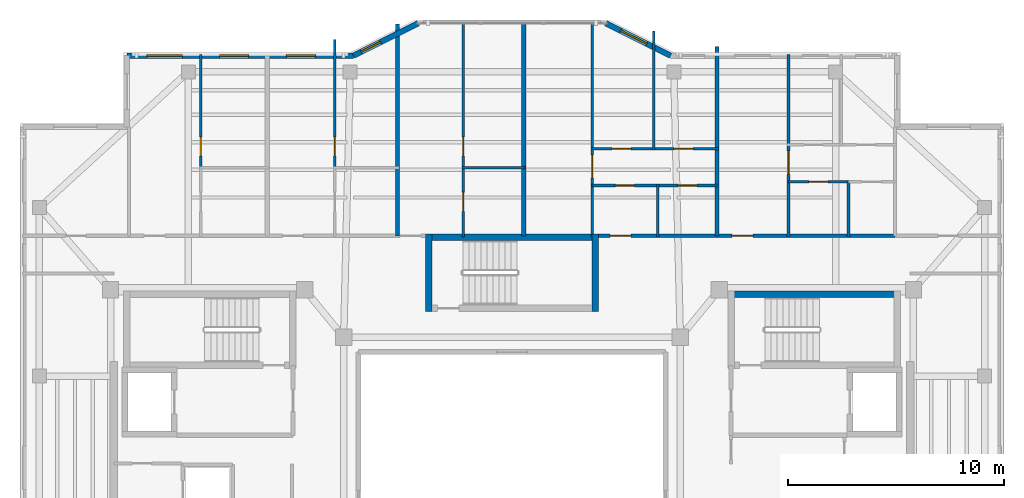
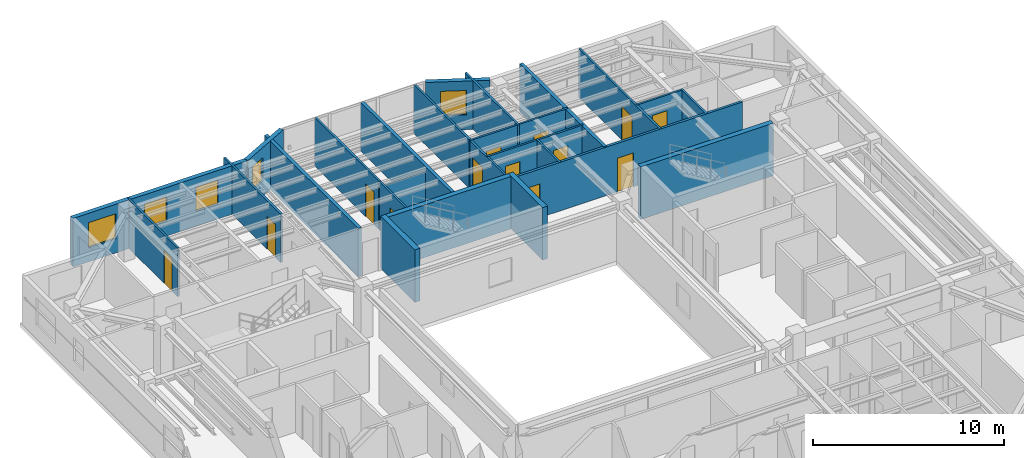
# One storey, part 10 of 14: 25 walls, 13 doors, 5 windows, 18 openings.
"""IFC4 building model written with IfcOpenShell, lengths in metres."""

from ifc_helpers import new_model, si_unit, direction, frame, frame_2d, origin, place, context, subcontext, project, spatial, rectangle, extrude, material, layer, layer_set, type_object, element, fill, save


model = new_model("IFC4")

# Units and contexts
model_context = context("Model", 3, precision=1e-05, world=origin(), true_north=direction((0.0, 1.0)))
body_context = subcontext(model_context, "Body", "Model", "MODEL_VIEW")
ifc_project = project(units=[si_unit("LENGTHUNIT", "METRE"), si_unit("AREAUNIT", "SQUARE_METRE"), si_unit("VOLUMEUNIT", "CUBIC_METRE"), si_unit("PLANEANGLEUNIT", "RADIAN"), si_unit("MASSUNIT", "GRAM", prefix="KILO")], contexts=[model_context])

# Site, building, storey
site_placement = place(None, origin())
site = spatial("IfcSite", under=ifc_project, at=site_placement, CompositionType="ELEMENT")
building_placement = place(site_placement, origin())
building = spatial("IfcBuilding", under=site, at=building_placement, Name="Tarnavaz Court Tower", CompositionType="ELEMENT")
storey_placement = place(building_placement, frame((0.0, 0.0, 264.949951171875)))
storey = spatial("IfcBuildingStorey", under=building, at=storey_placement, Name="L72", CompositionType="ELEMENT", Elevation=264.949951171875)

# Walls
ifc_material_1 = material(Name="Concrete C50/60", Category="concrete")
ifc_layer_1 = layer(ifc_material_1, 0.300048828125)
ifc_layer_set_1 = layer_set([ifc_layer_1], Name="Concrete C50/60")
wall_type_1 = type_object("IfcWallType", Name="WL-CORE-300-C50", PredefinedType="SHEAR", material=ifc_layer_set_1)
for number, where, z_axis, x_axis, name in (
    (1, (10.0, 9.7900390625, 0.0), (0.0, 0.0, 1.0), (1.0, 0.0, 0.0), "L72 East Stair Core Wall 005"),
    (2, (-4.0, 12.43994140625, 0.0), (0.0, 0.0, 1.0), (1.0, 0.0, 0.0), "L72 North Stair Core Wall 009"),
):
    element("IfcWall", number, at=place(storey_placement, frame(where, z_axis=z_axis, x_axis=x_axis)), inside=storey, type_object=wall_type_1, Name=name, PredefinedType="SHEAR", context=body_context, shape_type="SweptSolid", body=[
        extrude(rectangle(XDim=8.0, YDim=0.300048828125, at=frame_2d((4.0, 0.0))), origin(), (0.0, 0.0, 1.0), 3.35009765625),
    ])
for number, where, z_axis, x_axis, name in (
    (3, (-3.85009765625, 9.0, 0.0), (0.0, 0.0, 1.0), (0.0, 1.0, 0.0), "L72 North Stair Core Wall 011"),
    (4, (3.85009765625, 9.0, 0.0), (0.0, 0.0, 1.0), (0.0, 1.0, 0.0), "L72 North Stair Core Wall 012"),
):
    element("IfcWall", number, at=place(storey_placement, frame(where, z_axis=z_axis, x_axis=x_axis)), inside=storey, type_object=wall_type_1, Name=name, PredefinedType="SHEAR", context=body_context, shape_type="SweptSolid", body=[
        extrude(rectangle(XDim=3.590087890625, YDim=0.300048828125, at=frame_2d((1.794921875, 0.0))), origin(), (0.0, 0.0, 1.0), 3.35009765625),
    ])

# Wall, openings, windows
ifc_material_2 = material(Name="Precast Concrete C40/50", Category="concrete")
ifc_layer_2 = layer(ifc_material_2, 0.260009765625)
ifc_layer_set_2 = layer_set([ifc_layer_2], Name="Precast Concrete C40/50")
wall_type_2 = type_object("IfcWallType", Name="WL-EXT-260", PredefinedType="SOLIDWALL", material=ifc_layer_set_2)
wall_1_placement = place(storey_placement, frame((-17.85009765625, 20.85009765625, 0.0), z_axis=(0.0, 0.0, 1.0), x_axis=(1.0, 0.0, 0.0)))
wall_1 = element("IfcWall", 5, at=wall_1_placement, inside=storey, type_object=wall_type_2, Name="L72 Exterior Terracotta Facade Wall 05", PredefinedType="SOLIDWALL", context=body_context, shape_type="SweptSolid", body=[
    extrude(rectangle(XDim=10.5, YDim=0.260009765625, at=frame_2d((5.25, 0.0))), origin(), (0.0, 0.0, 1.0), 3.10009765625),
])
opening_1_placement = place(wall_1_placement, frame((0.925048828125, 0.0, 0.89990234375)))
opening_1 = element("IfcOpeningElement", 6, at=opening_1_placement, cuts=wall_1, Name="Opening W02", PredefinedType="OPENING", context=body_context, shape_type="SweptSolid", body=[
    extrude(rectangle(XDim=1.64990234375, YDim=1.60009765625, at=frame_2d((0.824951171875, 0.800048828125))), frame((0.0, 0.139892578125, 0.0), z_axis=(0.0, -1.0, 0.0), x_axis=(1.0, 0.0, 0.0)), (0.0, 0.0, 1.0), 0.280029296875),
])
opening_2_placement = place(wall_1_placement, frame((4.300048828125, 0.0, 0.949951171875)))
opening_2 = element("IfcOpeningElement", 7, at=opening_2_placement, cuts=wall_1, Name="Opening W04", PredefinedType="OPENING", context=body_context, shape_type="SweptSolid", body=[
    extrude(rectangle(XDim=1.35009765625, YDim=1.550048828125, at=frame_2d((0.675048828125, 0.77490234375))), frame((0.0, 0.139892578125, 0.0), z_axis=(0.0, -1.0, 0.0), x_axis=(1.0, 0.0, 0.0)), (0.0, 0.0, 1.0), 0.280029296875),
])
opening_3_placement = place(wall_1_placement, frame((7.39990234375, 0.0, 0.949951171875)))
opening_3 = element("IfcOpeningElement", 8, at=opening_3_placement, cuts=wall_1, Name="Opening W04", PredefinedType="OPENING", context=body_context, shape_type="SweptSolid", body=[
    extrude(rectangle(XDim=1.35009765625, YDim=1.550048828125, at=frame_2d((0.675048828125, 0.77490234375))), frame((0.0, 0.139892578125, 0.0), z_axis=(0.0, -1.0, 0.0), x_axis=(1.0, 0.0, 0.0)), (0.0, 0.0, 1.0), 0.280029296875),
])
ifc_material_3 = material(Name="Double-Glazed Solar Low-E Glass", Category="glass")
window_type_1 = type_object("IfcWindowType", Name="WN-APT-1350", PartitioningType="SINGLE_PANEL", PredefinedType="WINDOW", material=ifc_material_3)
window_1_placement = place(opening_2_placement, origin())
window_1 = element("IfcWindow", 9, at=window_1_placement, inside=storey, type_object=window_type_1, Name="L72 Flat 01 Kitchen Window", OverallHeight=1.550048828125, OverallWidth=1.35009765625, PartitioningType="SINGLE_PANEL", PredefinedType="WINDOW", context=body_context, shape_type="SweptSolid", body=[
    extrude(rectangle(XDim=1.35009765625, YDim=1.550048828125, at=frame_2d((0.675048828125, 0.77490234375))), frame((0.0, 0.030029296875, 0.0), z_axis=(0.0, -1.0, 0.0), x_axis=(1.0, 0.0, 0.0)), (0.0, 0.0, 1.0), 0.06005859375),
])
fill(opening_2, window_1)
window_2_placement = place(opening_3_placement, origin())
window_2 = element("IfcWindow", 10, at=window_2_placement, inside=storey, type_object=window_type_1, Name="L72 Flat 02 Studio Living and Sleeping Room Window", OverallHeight=1.550048828125, OverallWidth=1.35009765625, PartitioningType="SINGLE_PANEL", PredefinedType="WINDOW", context=body_context, shape_type="SweptSolid", body=[
    extrude(rectangle(XDim=1.35009765625, YDim=1.550048828125, at=frame_2d((0.675048828125, 0.77490234375))), frame((0.0, 0.030029296875, 0.0), z_axis=(0.0, -1.0, 0.0), x_axis=(1.0, 0.0, 0.0)), (0.0, 0.0, 1.0), 0.06005859375),
])
fill(opening_3, window_2)
window_type_2 = type_object("IfcWindowType", Name="WN-APT-1650", PartitioningType="DOUBLE_PANEL_VERTICAL", PredefinedType="WINDOW", material=ifc_material_3)
window_3_placement = place(opening_1_placement, origin())
window_3 = element("IfcWindow", 11, at=window_3_placement, inside=storey, type_object=window_type_2, Name="L72 Flat 01 Studio Living and Sleeping Room Window", OverallHeight=1.60009765625, OverallWidth=1.64990234375, PartitioningType="SINGLE_PANEL", PredefinedType="WINDOW", context=body_context, shape_type="SweptSolid", body=[
    extrude(rectangle(XDim=1.64990234375, YDim=1.60009765625, at=frame_2d((0.824951171875, 0.800048828125))), frame((0.0, 0.030029296875, 0.0), z_axis=(0.0, -1.0, 0.0), x_axis=(1.0, 0.0, 0.0)), (0.0, 0.0, 1.0), 0.06005859375),
])
fill(opening_1, window_3)

# Wall, opening, window
wall_2_placement = place(storey_placement, frame((-7.35009765625, 20.85009765625, 0.0), z_axis=(0.0, 0.0, 1.0), x_axis=(0.894427191, 0.4472135955, 0.0)))
wall_2 = element("IfcWall", 12, at=wall_2_placement, inside=storey, type_object=wall_type_2, Name="L72 Exterior Terracotta Facade Wall 06", PredefinedType="SOLIDWALL", context=body_context, shape_type="SweptSolid", body=[
    extrude(rectangle(XDim=3.35400390625, YDim=0.260009765625, at=frame_2d((1.677001953125, 0.0))), origin(), (0.0, 0.0, 1.0), 3.10009765625),
])
opening_4_placement = place(wall_2_placement, frame((0.40087890625, 0.0, 0.949951171875)))
opening_4 = element("IfcOpeningElement", 13, at=opening_4_placement, cuts=wall_2, Name="Opening W14", PredefinedType="OPENING", context=body_context, shape_type="SweptSolid", body=[
    extrude(rectangle(XDim=1.0, YDim=1.5, at=frame_2d((0.5, 0.75))), frame((0.0, 0.139892578125, 0.0), z_axis=(0.0, -1.0, 0.0), x_axis=(1.0, 0.0, 0.0)), (0.0, 0.0, 1.0), 0.280029296875),
])
window_type_3 = type_object("IfcWindowType", Name="WN-APT-1000", PartitioningType="SINGLE_PANEL", PredefinedType="WINDOW", material=ifc_material_3)
window_4_placement = place(opening_4_placement, origin())
window_4 = element("IfcWindow", 14, at=window_4_placement, inside=storey, type_object=window_type_3, Name="L72 Flat 02 Kitchen Window", OverallHeight=1.5, OverallWidth=1.0, PartitioningType="SINGLE_PANEL", PredefinedType="WINDOW", context=body_context, shape_type="SweptSolid", body=[
    extrude(rectangle(XDim=1.0, YDim=1.5, at=frame_2d((0.5, 0.75))), frame((0.0, 0.030029296875, 0.0), z_axis=(0.0, -1.0, 0.0), x_axis=(1.0, 0.0, 0.0)), (0.0, 0.0, 1.0), 0.06005859375),
])
fill(opening_4, window_4)

wall_3_placement = place(storey_placement, frame((4.35009765625, 22.35009765625, 0.0), z_axis=(0.0, 0.0, 1.0), x_axis=(0.894427191, -0.4472135955, 0.0)))
wall_3 = element("IfcWall", 15, at=wall_3_placement, inside=storey, type_object=wall_type_2, Name="L72 Exterior Terracotta Facade Wall 08", PredefinedType="SOLIDWALL", context=body_context, shape_type="SweptSolid", body=[
    extrude(rectangle(XDim=3.35400390625, YDim=0.260009765625, at=frame_2d((1.677001953125, 0.0))), origin(), (0.0, 0.0, 1.0), 3.10009765625),
])
opening_5_placement = place(wall_3_placement, frame((0.771728515625, 0.0, 0.949951171875)))
opening_5 = element("IfcOpeningElement", 16, at=opening_5_placement, cuts=wall_3, Name="Opening W04", PredefinedType="OPENING", context=body_context, shape_type="SweptSolid", body=[
    extrude(rectangle(XDim=1.35009765625, YDim=1.550048828125, at=frame_2d((0.675048828125, 0.77490234375))), frame((0.0, 0.139892578125, 0.0), z_axis=(0.0, -1.0, 0.0), x_axis=(1.0, 0.0, 0.0)), (0.0, 0.0, 1.0), 0.280029296875),
])
window_5_placement = place(opening_5_placement, origin())
window_5 = element("IfcWindow", 17, at=window_5_placement, inside=storey, type_object=window_type_1, Name="L72 Flat 04 Principal Bedroom Window", OverallHeight=1.550048828125, OverallWidth=1.35009765625, PartitioningType="SINGLE_PANEL", PredefinedType="WINDOW", context=body_context, shape_type="SweptSolid", body=[
    extrude(rectangle(XDim=1.35009765625, YDim=1.550048828125, at=frame_2d((0.675048828125, 0.77490234375))), frame((0.0, 0.030029296875, 0.0), z_axis=(0.0, -1.0, 0.0), x_axis=(1.0, 0.0, 0.0)), (0.0, 0.0, 1.0), 0.06005859375),
])
fill(opening_5, window_5)

# Wall, openings, doors
ifc_material_4 = material(Name="Gypsum Fire-Board on Acoustic Metal Stud", Category="masonry")
ifc_layer_3 = layer(ifc_material_4, 0.14990234375)
ifc_layer_set_3 = layer_set([ifc_layer_3], Name="Gypsum Fire-Board on Acoustic Metal Stud")
wall_type_3 = type_object("IfcWallType", Name="WL-FIRE-150", PredefinedType="PARTITIONING", material=ifc_layer_set_3)
wall_4_placement = place(storey_placement, frame((3.85009765625, 12.5, 0.0), z_axis=(0.0, 0.0, 1.0), x_axis=(1.0, 0.0, 0.0)))
wall_4 = element("IfcWall", 18, at=wall_4_placement, inside=storey, type_object=wall_type_3, Name="L72 NE Wing Corridor Wall 057", PredefinedType="PARTITIONING", context=body_context, shape_type="SweptSolid", body=[
    extrude(rectangle(XDim=13.89990234375, YDim=0.14990234375, at=frame_2d((6.949951171875, 0.0))), origin(), (0.0, 0.0, 1.0), 3.10009765625),
])
opening_6_placement = place(wall_4_placement, frame((0.699951171875, 0.0, 0.0)))
opening_6 = element("IfcOpeningElement", 19, at=opening_6_placement, cuts=wall_4, Name="Opening D06", PredefinedType="OPENING", context=body_context, shape_type="SweptSolid", body=[
    extrude(rectangle(XDim=0.9599609375, YDim=2.14990234375, at=frame_2d((0.47998046875, 1.074951171875))), frame((0.0, 0.0849609375, 0.0), z_axis=(0.0, -1.0, 0.0), x_axis=(1.0, 0.0, 0.0)), (0.0, 0.0, 1.0), 0.169921875),
])
opening_7_placement = place(wall_4_placement, frame((6.35009765625, 0.0, 0.0)))
opening_7 = element("IfcOpeningElement", 20, at=opening_7_placement, cuts=wall_4, Name="Opening D06", PredefinedType="OPENING", context=body_context, shape_type="SweptSolid", body=[
    extrude(rectangle(XDim=0.9599609375, YDim=2.14990234375, at=frame_2d((0.47998046875, 1.074951171875))), frame((0.0, 0.0849609375, 0.0), z_axis=(0.0, -1.0, 0.0), x_axis=(1.0, 0.0, 0.0)), (0.0, 0.0, 1.0), 0.169921875),
])
ifc_material_5 = material(Name="Fire-Rated Hardwood Timber Core", Category="wood")
door_type_1 = type_object("IfcDoorType", Name="DR-FD60-950", OperationType="NOTDEFINED", PredefinedType="DOOR", material=ifc_material_5)
door_1_placement = place(opening_6_placement, origin())
door_1 = element("IfcDoor", 21, at=door_1_placement, inside=storey, type_object=door_type_1, Name="L72 Flat 04 Entrance Door", OperationType="SINGLE_SWING_LEFT", OverallHeight=2.14990234375, OverallWidth=0.9599609375, PredefinedType="DOOR", context=body_context, shape_type="SweptSolid", body=[
    extrude(rectangle(XDim=0.9599609375, YDim=2.14990234375, at=frame_2d((0.47998046875, 1.074951171875))), frame((0.0, 0.02490234375, 0.0), z_axis=(0.0, -1.0, 0.0), x_axis=(1.0, 0.0, 0.0)), (0.0, 0.0, 1.0), 0.050048828125),
])
fill(opening_6, door_1)
door_2_placement = place(opening_7_placement, origin())
door_2 = element("IfcDoor", 22, at=door_2_placement, inside=storey, type_object=door_type_1, Name="L72 Flat 05 Entrance Door", OperationType="SINGLE_SWING_LEFT", OverallHeight=2.14990234375, OverallWidth=0.9599609375, PredefinedType="DOOR", context=body_context, shape_type="SweptSolid", body=[
    extrude(rectangle(XDim=0.9599609375, YDim=2.14990234375, at=frame_2d((0.47998046875, 1.074951171875))), frame((0.0, 0.02490234375, 0.0), z_axis=(0.0, -1.0, 0.0), x_axis=(1.0, 0.0, 0.0)), (0.0, 0.0, 1.0), 0.050048828125),
])
fill(opening_7, door_2)

# Walls
ifc_material_6 = material(Name="Autoclaved Aerated Concrete Blockwork", Category="masonry")
ifc_layer_4 = layer(ifc_material_6, 0.199951171875)
ifc_layer_set_4 = layer_set([ifc_layer_4], Name="Autoclaved Aerated Concrete Blockwork")
wall_type_4 = type_object("IfcWallType", Name="WL-FIRE-200", PredefinedType="SOLIDWALL", material=ifc_layer_set_4)
wall_5_placement = place(storey_placement, frame((0.550048828125, 12.5, 0.0), z_axis=(0.0, 0.0, 1.0), x_axis=(0.0, 1.0, 0.0)))
element("IfcWall", 23, at=wall_5_placement, inside=storey, type_object=wall_type_4, Name="L72 North Center Party Wall 060", PredefinedType="SOLIDWALL", context=body_context, shape_type="SweptSolid", body=[
    extrude(rectangle(XDim=9.8798828125, YDim=0.199951171875, at=frame_2d((4.93994140625, 0.0))), origin(), (0.0, 0.0, 1.0), 3.10009765625),
])
wall_6_placement = place(storey_placement, frame((-5.305908203125, 12.5, 0.0), z_axis=(0.0, 0.0, 1.0), x_axis=(0.0, 1.0, 0.0)))
element("IfcWall", 24, at=wall_6_placement, inside=storey, type_object=wall_type_4, Name="L72 Party Wall 065", PredefinedType="SOLIDWALL", context=body_context, shape_type="SweptSolid", body=[
    extrude(rectangle(XDim=9.804931640625, YDim=0.199951171875, at=frame_2d((4.90234375, 0.0))), origin(), (0.0, 0.0, 1.0), 3.10009765625),
])
wall_7_placement = place(storey_placement, frame((9.5, 12.5, 0.0), z_axis=(0.0, 0.0, 1.0), x_axis=(0.0, 1.0, 0.0)))
element("IfcWall", 25, at=wall_7_placement, inside=storey, type_object=wall_type_4, Name="L72 Party Wall 072", PredefinedType="SOLIDWALL", context=body_context, shape_type="SweptSolid", body=[
    extrude(rectangle(XDim=8.77001953125, YDim=0.199951171875, at=frame_2d((4.385009765625, 0.0))), origin(), (0.0, 0.0, 1.0), 3.10009765625),
])

# Wall, opening, door
ifc_material_7 = material(Name="Moisture-Resistant Gypsum Board Partition", Category="masonry")
ifc_layer_5 = layer(ifc_material_7, 0.1201171875)
ifc_layer_set_5 = layer_set([ifc_layer_5], Name="Moisture-Resistant Gypsum Board Partition")
wall_type_5 = type_object("IfcWallType", Name="WL-PART-120", PredefinedType="PARTITIONING", material=ifc_layer_set_5)
wall_8_placement = place(storey_placement, frame((-14.422119140625, 15.64990234375, 0.0), z_axis=(0.0, 0.0, 1.0), x_axis=(0.0, 1.0, 0.0)))
wall_8 = element("IfcWall", 26, at=wall_8_placement, inside=storey, type_object=wall_type_5, Name="L72 Interior Partition 063", PredefinedType="PARTITIONING", context=body_context, shape_type="SweptSolid", body=[
    extrude(rectangle(XDim=5.25, YDim=0.1201171875, at=frame_2d((2.625, 0.0))), origin(), (0.0, 0.0, 1.0), 3.10009765625),
])
opening_8_placement = place(wall_8_placement, frame((0.550048828125, 0.0, 0.0)))
opening_8 = element("IfcOpeningElement", 27, at=opening_8_placement, cuts=wall_8, Name="Opening D14", PredefinedType="OPENING", context=body_context, shape_type="SweptSolid", body=[
    extrude(rectangle(XDim=0.8798828125, YDim=2.10009765625, at=frame_2d((0.43994140625, 1.050048828125))), frame((0.0, 0.070068359375, 0.0), z_axis=(0.0, -1.0, 0.0), x_axis=(1.0, 0.0, 0.0)), (0.0, 0.0, 1.0), 0.14013671875),
])
ifc_material_8 = material(Name="Engineered Oak Timber", Category="wood")
door_type_2 = type_object("IfcDoorType", Name="DR-INT-900", OperationType="NOTDEFINED", PredefinedType="DOOR", material=ifc_material_8)
door_3_placement = place(opening_8_placement, origin())
door_3 = element("IfcDoor", 28, at=door_3_placement, inside=storey, type_object=door_type_2, Name="L72 Flat 01 Kitchen Door", OperationType="SINGLE_SWING_RIGHT", OverallHeight=2.10009765625, OverallWidth=0.8798828125, PredefinedType="DOOR", context=body_context, shape_type="SweptSolid", body=[
    extrude(rectangle(XDim=0.8798828125, YDim=2.10009765625, at=frame_2d((0.43994140625, 1.050048828125))), frame((0.0, 0.02490234375, 0.0), z_axis=(0.0, -1.0, 0.0), x_axis=(1.0, 0.0, 0.0)), (0.0, 0.0, 1.0), 0.050048828125),
])
fill(opening_8, door_3)

wall_9_placement = place(storey_placement, frame((-8.20703125, 15.64990234375, 0.0), z_axis=(0.0, 0.0, 1.0), x_axis=(0.0, 1.0, 0.0)))
wall_9 = element("IfcWall", 29, at=wall_9_placement, inside=storey, type_object=wall_type_5, Name="L72 Interior Partition 067", PredefinedType="PARTITIONING", context=body_context, shape_type="SweptSolid", body=[
    extrude(rectangle(XDim=5.939208984375, YDim=0.1201171875, at=frame_2d((2.9697265625, 0.0))), origin(), (0.0, 0.0, 1.0), 3.10009765625),
])
opening_9_placement = place(wall_9_placement, frame((0.550048828125, 0.0, 0.0)))
opening_9 = element("IfcOpeningElement", 30, at=opening_9_placement, cuts=wall_9, Name="Opening D14", PredefinedType="OPENING", context=body_context, shape_type="SweptSolid", body=[
    extrude(rectangle(XDim=0.8798828125, YDim=2.10009765625, at=frame_2d((0.43994140625, 1.050048828125))), frame((0.0, 0.070068359375, 0.0), z_axis=(0.0, -1.0, 0.0), x_axis=(1.0, 0.0, 0.0)), (0.0, 0.0, 1.0), 0.14013671875),
])
door_4_placement = place(opening_9_placement, origin())
door_4 = element("IfcDoor", 31, at=door_4_placement, inside=storey, type_object=door_type_2, Name="L72 Flat 02 Kitchen Door", OperationType="SINGLE_SWING_LEFT", OverallHeight=2.10009765625, OverallWidth=0.8798828125, PredefinedType="DOOR", context=body_context, shape_type="SweptSolid", body=[
    extrude(rectangle(XDim=0.8798828125, YDim=2.10009765625, at=frame_2d((0.43994140625, 1.050048828125))), frame((0.0, 0.02490234375, 0.0), z_axis=(0.0, -1.0, 0.0), x_axis=(1.0, 0.0, 0.0)), (0.0, 0.0, 1.0), 0.050048828125),
])
fill(opening_9, door_4)

wall_10_placement = place(storey_placement, frame((-2.262939453125, 12.43994140625, 0.0), z_axis=(0.0, 0.0, 1.0), x_axis=(0.0, 1.0, 0.0)))
wall_10 = element("IfcWall", 32, at=wall_10_placement, inside=storey, type_object=wall_type_5, Name="L72 Interior Partition 069", PredefinedType="PARTITIONING", context=body_context, shape_type="SweptSolid", body=[
    extrude(rectangle(XDim=3.2099609375, YDim=0.1201171875, at=frame_2d((1.60498046875, 0.0))), origin(), (0.0, 0.0, 1.0), 3.10009765625),
])
opening_10_placement = place(wall_10_placement, frame((1.195068359375, 0.0, 0.0)))
opening_10 = element("IfcOpeningElement", 33, at=opening_10_placement, cuts=wall_10, Name="Opening D14", PredefinedType="OPENING", context=body_context, shape_type="SweptSolid", body=[
    extrude(rectangle(XDim=0.8798828125, YDim=2.10009765625, at=frame_2d((0.43994140625, 1.050048828125))), frame((0.0, 0.070068359375, 0.0), z_axis=(0.0, -1.0, 0.0), x_axis=(1.0, 0.0, 0.0)), (0.0, 0.0, 1.0), 0.14013671875),
])
door_5_placement = place(opening_10_placement, origin())
door_5 = element("IfcDoor", 34, at=door_5_placement, inside=storey, type_object=door_type_2, Name="L72 Flat 03 Bathroom Door", OperationType="SINGLE_SWING_LEFT", OverallHeight=2.10009765625, OverallWidth=0.8798828125, PredefinedType="DOOR", context=body_context, shape_type="SweptSolid", body=[
    extrude(rectangle(XDim=0.8798828125, YDim=2.10009765625, at=frame_2d((0.43994140625, 1.050048828125))), frame((0.0, 0.02490234375, 0.0), z_axis=(0.0, -1.0, 0.0), x_axis=(1.0, 0.0, 0.0)), (0.0, 0.0, 1.0), 0.050048828125),
])
fill(opening_10, door_5)

wall_11_placement = place(storey_placement, frame((-2.262939453125, 15.64990234375, 0.0), z_axis=(0.0, 0.0, 1.0), x_axis=(0.0, 1.0, 0.0)))
wall_11 = element("IfcWall", 35, at=wall_11_placement, inside=storey, type_object=wall_type_5, Name="L72 Interior Partition 070", PredefinedType="PARTITIONING", context=body_context, shape_type="SweptSolid", body=[
    extrude(rectangle(XDim=6.72998046875, YDim=0.1201171875, at=frame_2d((3.364990234375, 0.0))), origin(), (0.0, 0.0, 1.0), 3.10009765625),
])
opening_11_placement = place(wall_11_placement, frame((0.550048828125, 0.0, 0.0)))
opening_11 = element("IfcOpeningElement", 36, at=opening_11_placement, cuts=wall_11, Name="Opening D14", PredefinedType="OPENING", context=body_context, shape_type="SweptSolid", body=[
    extrude(rectangle(XDim=0.8798828125, YDim=2.10009765625, at=frame_2d((0.43994140625, 1.050048828125))), frame((0.0, 0.070068359375, 0.0), z_axis=(0.0, -1.0, 0.0), x_axis=(1.0, 0.0, 0.0)), (0.0, 0.0, 1.0), 0.14013671875),
])
door_6_placement = place(opening_11_placement, origin())
door_6 = element("IfcDoor", 37, at=door_6_placement, inside=storey, type_object=door_type_2, Name="L72 Flat 03 Kitchen Door", OperationType="SINGLE_SWING_RIGHT", OverallHeight=2.10009765625, OverallWidth=0.8798828125, PredefinedType="DOOR", context=body_context, shape_type="SweptSolid", body=[
    extrude(rectangle(XDim=0.8798828125, YDim=2.10009765625, at=frame_2d((0.43994140625, 1.050048828125))), frame((0.0, 0.02490234375, 0.0), z_axis=(0.0, -1.0, 0.0), x_axis=(1.0, 0.0, 0.0)), (0.0, 0.0, 1.0), 0.050048828125),
])
fill(opening_11, door_6)

# Wall
wall_12_placement = place(storey_placement, frame((-2.322998046875, 15.64990234375, 0.0), z_axis=(0.0, 0.0, 1.0), x_axis=(1.0, 0.0, 0.0)))
element("IfcWall", 38, at=wall_12_placement, inside=storey, type_object=wall_type_5, Name="L72 Interior Partition 071", PredefinedType="PARTITIONING", context=body_context, shape_type="SweptSolid", body=[
    extrude(rectangle(XDim=2.93310546875, YDim=0.1201171875, at=frame_2d((1.466552734375, 0.0))), origin(), (0.0, 0.0, 1.0), 2.78515625),
])

# Wall, opening, door
wall_13_placement = place(storey_placement, frame((3.7099609375, 12.43994140625, 0.0), z_axis=(0.0, 0.0, 1.0), x_axis=(0.0, 1.0, 0.0)))
wall_13 = element("IfcWall", 39, at=wall_13_placement, inside=storey, type_object=wall_type_5, Name="L72 Interior Partition 073", PredefinedType="PARTITIONING", context=body_context, shape_type="SweptSolid", body=[
    extrude(rectangle(XDim=9.93994140625, YDim=0.1201171875, at=frame_2d((4.969970703125, 0.0))), origin(), (0.0, 0.0, 1.0), 3.10009765625),
])
opening_12_placement = place(wall_13_placement, frame((2.735107421875, 0.0, 0.0)))
opening_12 = element("IfcOpeningElement", 40, at=opening_12_placement, cuts=wall_13, Name="Opening D12", PredefinedType="OPENING", context=body_context, shape_type="SweptSolid", body=[
    extrude(rectangle(XDim=1.080078125, YDim=2.14990234375, at=frame_2d((0.5400390625, 1.074951171875))), frame((0.0, 0.070068359375, 0.0), z_axis=(0.0, -1.0, 0.0), x_axis=(1.0, 0.0, 0.0)), (0.0, 0.0, 1.0), 0.14013671875),
])
door_type_3 = type_object("IfcDoorType", Name="DR-INT-1100", OperationType="NOTDEFINED", PredefinedType="DOOR", material=ifc_material_8)
door_7_placement = place(opening_12_placement, origin())
door_7 = element("IfcDoor", 41, at=door_7_placement, inside=storey, type_object=door_type_3, Name="L72 Flat 04 Foyer Door", OperationType="SINGLE_SWING_RIGHT", OverallHeight=2.14990234375, OverallWidth=1.080078125, PredefinedType="DOOR", context=body_context, shape_type="SweptSolid", body=[
    extrude(rectangle(XDim=1.080078125, YDim=2.14990234375, at=frame_2d((0.5400390625, 1.074951171875))), frame((0.0, 0.02490234375, 0.0), z_axis=(0.0, -1.0, 0.0), x_axis=(1.0, 0.0, 0.0)), (0.0, 0.0, 1.0), 0.050048828125),
])
fill(opening_12, door_7)

wall_14_placement = place(storey_placement, frame((3.7099609375, 14.830078125, 0.0), z_axis=(0.0, 0.0, 1.0), x_axis=(1.0, 0.0, 0.0)))
wall_14 = element("IfcWall", 42, at=wall_14_placement, inside=storey, type_object=wall_type_5, Name="L72 Interior Partition 074", PredefinedType="PARTITIONING", context=body_context, shape_type="SweptSolid", body=[
    extrude(rectangle(XDim=3.037109375, YDim=0.1201171875, at=frame_2d((1.5185546875, 0.0))), origin(), (0.0, 0.0, 1.0), 3.10009765625),
])
opening_13_placement = place(wall_14_placement, frame((1.0791015625, 0.0, 0.0)))
opening_13 = element("IfcOpeningElement", 43, at=opening_13_placement, cuts=wall_14, Name="Opening D14", PredefinedType="OPENING", context=body_context, shape_type="SweptSolid", body=[
    extrude(rectangle(XDim=0.8798828125, YDim=2.10009765625, at=frame_2d((0.43994140625, 1.050048828125))), frame((0.0, 0.070068359375, 0.0), z_axis=(0.0, -1.0, 0.0), x_axis=(1.0, 0.0, 0.0)), (0.0, 0.0, 1.0), 0.14013671875),
])
door_8_placement = place(opening_13_placement, origin())
door_8 = element("IfcDoor", 44, at=door_8_placement, inside=storey, type_object=door_type_2, Name="L72 Flat 04 Kitchen Door", OperationType="SINGLE_SWING_LEFT", OverallHeight=2.10009765625, OverallWidth=0.8798828125, PredefinedType="DOOR", context=body_context, shape_type="SweptSolid", body=[
    extrude(rectangle(XDim=0.8798828125, YDim=2.10009765625, at=frame_2d((0.43994140625, 1.050048828125))), frame((0.0, 0.02490234375, 0.0), z_axis=(0.0, -1.0, 0.0), x_axis=(1.0, 0.0, 0.0)), (0.0, 0.0, 1.0), 0.050048828125),
])
fill(opening_13, door_8)

wall_15_placement = place(storey_placement, frame((6.7470703125, 14.830078125, 0.0), z_axis=(0.0, 0.0, 1.0), x_axis=(1.0, 0.0, 0.0)))
wall_15 = element("IfcWall", 45, at=wall_15_placement, inside=storey, type_object=wall_type_5, Name="L72 Interior Partition 075", PredefinedType="PARTITIONING", context=body_context, shape_type="SweptSolid", body=[
    extrude(rectangle(XDim=2.7529296875, YDim=0.1201171875, at=frame_2d((1.37646484375, 0.0))), origin(), (0.0, 0.0, 1.0), 3.10009765625),
])
opening_14_placement = place(wall_15_placement, frame((0.93701171875, 0.0, 0.0)))
opening_14 = element("IfcOpeningElement", 46, at=opening_14_placement, cuts=wall_15, Name="Opening D14", PredefinedType="OPENING", context=body_context, shape_type="SweptSolid", body=[
    extrude(rectangle(XDim=0.8798828125, YDim=2.10009765625, at=frame_2d((0.43994140625, 1.050048828125))), frame((0.0, 0.070068359375, 0.0), z_axis=(0.0, -1.0, 0.0), x_axis=(1.0, 0.0, 0.0)), (0.0, 0.0, 1.0), 0.14013671875),
])
door_9_placement = place(opening_14_placement, origin())
door_9 = element("IfcDoor", 47, at=door_9_placement, inside=storey, type_object=door_type_2, Name="L72 Flat 04 Bathroom Door", OperationType="SINGLE_SWING_RIGHT", OverallHeight=2.10009765625, OverallWidth=0.8798828125, PredefinedType="DOOR", context=body_context, shape_type="SweptSolid", body=[
    extrude(rectangle(XDim=0.8798828125, YDim=2.10009765625, at=frame_2d((0.43994140625, 1.050048828125))), frame((0.0, 0.02490234375, 0.0), z_axis=(0.0, -1.0, 0.0), x_axis=(1.0, 0.0, 0.0)), (0.0, 0.0, 1.0), 0.050048828125),
])
fill(opening_14, door_9)

# Wall, openings, doors
wall_16_placement = place(storey_placement, frame((3.64990234375, 16.5400390625, 0.0), z_axis=(0.0, 0.0, 1.0), x_axis=(1.0, 0.0, 0.0)))
wall_16 = element("IfcWall", 48, at=wall_16_placement, inside=storey, type_object=wall_type_5, Name="L72 Interior Partition 076", PredefinedType="PARTITIONING", context=body_context, shape_type="SweptSolid", body=[
    extrude(rectangle(XDim=5.91015625, YDim=0.1201171875, at=frame_2d((2.955078125, 0.0))), origin(), (0.0, 0.0, 1.0), 3.10009765625),
])
opening_15_placement = place(wall_16_placement, frame((0.991943359375, 0.0, 0.0)))
opening_15 = element("IfcOpeningElement", 49, at=opening_15_placement, cuts=wall_16, Name="Opening D14", PredefinedType="OPENING", context=body_context, shape_type="SweptSolid", body=[
    extrude(rectangle(XDim=0.8798828125, YDim=2.10009765625, at=frame_2d((0.43994140625, 1.050048828125))), frame((0.0, 0.070068359375, 0.0), z_axis=(0.0, -1.0, 0.0), x_axis=(1.0, 0.0, 0.0)), (0.0, 0.0, 1.0), 0.14013671875),
])
opening_16_placement = place(wall_16_placement, frame((3.85693359375, 0.0, 0.0)))
opening_16 = element("IfcOpeningElement", 50, at=opening_16_placement, cuts=wall_16, Name="Opening D14", PredefinedType="OPENING", context=body_context, shape_type="SweptSolid", body=[
    extrude(rectangle(XDim=0.8798828125, YDim=2.10009765625, at=frame_2d((0.43994140625, 1.050048828125))), frame((0.0, 0.070068359375, 0.0), z_axis=(0.0, -1.0, 0.0), x_axis=(1.0, 0.0, 0.0)), (0.0, 0.0, 1.0), 0.14013671875),
])
door_10_placement = place(opening_15_placement, origin())
door_10 = element("IfcDoor", 51, at=door_10_placement, inside=storey, type_object=door_type_2, Name="L72 Flat 04 Bedroom 1 Door", OperationType="SINGLE_SWING_LEFT", OverallHeight=2.10009765625, OverallWidth=0.8798828125, PredefinedType="DOOR", context=body_context, shape_type="SweptSolid", body=[
    extrude(rectangle(XDim=0.8798828125, YDim=2.10009765625, at=frame_2d((0.43994140625, 1.050048828125))), frame((0.0, 0.02490234375, 0.0), z_axis=(0.0, -1.0, 0.0), x_axis=(1.0, 0.0, 0.0)), (0.0, 0.0, 1.0), 0.050048828125),
])
fill(opening_15, door_10)
door_11_placement = place(opening_16_placement, origin())
door_11 = element("IfcDoor", 52, at=door_11_placement, inside=storey, type_object=door_type_2, Name="L72 Flat 04 Bedroom 2 Door", OperationType="SINGLE_SWING_RIGHT", OverallHeight=2.10009765625, OverallWidth=0.8798828125, PredefinedType="DOOR", context=body_context, shape_type="SweptSolid", body=[
    extrude(rectangle(XDim=0.8798828125, YDim=2.10009765625, at=frame_2d((0.43994140625, 1.050048828125))), frame((0.0, 0.02490234375, 0.0), z_axis=(0.0, -1.0, 0.0), x_axis=(1.0, 0.0, 0.0)), (0.0, 0.0, 1.0), 0.050048828125),
])
fill(opening_16, door_11)

# Walls
wall_17_placement = place(storey_placement, frame((6.7470703125, 12.43994140625, 0.0), z_axis=(0.0, 0.0, 1.0), x_axis=(0.0, 1.0, 0.0)))
element("IfcWall", 53, at=wall_17_placement, inside=storey, type_object=wall_type_5, Name="L72 Interior Partition 077", PredefinedType="PARTITIONING", context=body_context, shape_type="SweptSolid", body=[
    extrude(rectangle(XDim=2.449951171875, YDim=0.1201171875, at=frame_2d((1.22509765625, 0.0))), origin(), (0.0, 0.0, 1.0), 3.10009765625),
])
wall_18_placement = place(storey_placement, frame((6.574951171875, 16.47998046875, 0.0), z_axis=(0.0, 0.0, 1.0), x_axis=(0.0, 1.0, 0.0)))
element("IfcWall", 54, at=wall_18_placement, inside=storey, type_object=wall_type_5, Name="L72 Interior Partition 078", PredefinedType="PARTITIONING", context=body_context, shape_type="SweptSolid", body=[
    extrude(rectangle(XDim=5.510986328125, YDim=0.1201171875, at=frame_2d((2.75537109375, 0.0))), origin(), (0.0, 0.0, 1.0), 3.10009765625),
])

# Wall, opening, door
wall_19_placement = place(storey_placement, frame((12.81201171875, 12.43994140625, 0.0), z_axis=(0.0, 0.0, 1.0), x_axis=(0.0, 1.0, 0.0)))
wall_19 = element("IfcWall", 55, at=wall_19_placement, inside=storey, type_object=wall_type_5, Name="L72 Interior Partition 079", PredefinedType="PARTITIONING", context=body_context, shape_type="SweptSolid", body=[
    extrude(rectangle(XDim=8.4599609375, YDim=0.1201171875, at=frame_2d((4.22998046875, 0.0))), origin(), (0.0, 0.0, 1.0), 3.10009765625),
])
opening_17_placement = place(wall_19_placement, frame((2.905029296875, 0.0, 0.0)))
opening_17 = element("IfcOpeningElement", 56, at=opening_17_placement, cuts=wall_19, Name="Opening D12", PredefinedType="OPENING", context=body_context, shape_type="SweptSolid", body=[
    extrude(rectangle(XDim=1.080078125, YDim=2.14990234375, at=frame_2d((0.5400390625, 1.074951171875))), frame((0.0, 0.070068359375, 0.0), z_axis=(0.0, -1.0, 0.0), x_axis=(1.0, 0.0, 0.0)), (0.0, 0.0, 1.0), 0.14013671875),
])
door_12_placement = place(opening_17_placement, origin())
door_12 = element("IfcDoor", 57, at=door_12_placement, inside=storey, type_object=door_type_3, Name="L72 Flat 05 Foyer Door", OperationType="SINGLE_SWING_RIGHT", OverallHeight=2.14990234375, OverallWidth=1.080078125, PredefinedType="DOOR", context=body_context, shape_type="SweptSolid", body=[
    extrude(rectangle(XDim=1.080078125, YDim=2.14990234375, at=frame_2d((0.5400390625, 1.074951171875))), frame((0.0, 0.02490234375, 0.0), z_axis=(0.0, -1.0, 0.0), x_axis=(1.0, 0.0, 0.0)), (0.0, 0.0, 1.0), 0.050048828125),
])
fill(opening_17, door_12)

wall_20_placement = place(storey_placement, frame((12.81201171875, 15.0, 0.0), z_axis=(0.0, 0.0, 1.0), x_axis=(1.0, 0.0, 0.0)))
wall_20 = element("IfcWall", 58, at=wall_20_placement, inside=storey, type_object=wall_type_5, Name="L72 Interior Partition 080", PredefinedType="PARTITIONING", context=body_context, shape_type="SweptSolid", body=[
    extrude(rectangle(XDim=2.780029296875, YDim=0.1201171875, at=frame_2d((1.39013671875, 0.0))), origin(), (0.0, 0.0, 1.0), 3.10009765625),
])
opening_18_placement = place(wall_20_placement, frame((0.949951171875, 0.0, 0.0)))
opening_18 = element("IfcOpeningElement", 59, at=opening_18_placement, cuts=wall_20, Name="Opening D14", PredefinedType="OPENING", context=body_context, shape_type="SweptSolid", body=[
    extrude(rectangle(XDim=0.8798828125, YDim=2.10009765625, at=frame_2d((0.43994140625, 1.050048828125))), frame((0.0, 0.070068359375, 0.0), z_axis=(0.0, -1.0, 0.0), x_axis=(1.0, 0.0, 0.0)), (0.0, 0.0, 1.0), 0.14013671875),
])
door_13_placement = place(opening_18_placement, origin())
door_13 = element("IfcDoor", 60, at=door_13_placement, inside=storey, type_object=door_type_2, Name="L72 Flat 05 Kitchen Door", OperationType="SINGLE_SWING_LEFT", OverallHeight=2.10009765625, OverallWidth=0.8798828125, PredefinedType="DOOR", context=body_context, shape_type="SweptSolid", body=[
    extrude(rectangle(XDim=0.8798828125, YDim=2.10009765625, at=frame_2d((0.43994140625, 1.050048828125))), frame((0.0, 0.02490234375, 0.0), z_axis=(0.0, -1.0, 0.0), x_axis=(1.0, 0.0, 0.0)), (0.0, 0.0, 1.0), 0.050048828125),
])
fill(opening_18, door_13)

# Wall
wall_21_placement = place(storey_placement, frame((15.592041015625, 12.43994140625, 0.0), z_axis=(0.0, 0.0, 1.0), x_axis=(0.0, 1.0, 0.0)))
element("IfcWall", 61, at=wall_21_placement, inside=storey, type_object=wall_type_5, Name="L72 Interior Partition 083", PredefinedType="PARTITIONING", context=body_context, shape_type="SweptSolid", body=[
    extrude(rectangle(XDim=2.6201171875, YDim=0.1201171875, at=frame_2d((1.31005859375, 0.0))), origin(), (0.0, 0.0, 1.0), 3.10009765625),
])

save(model, "model.ifc")
